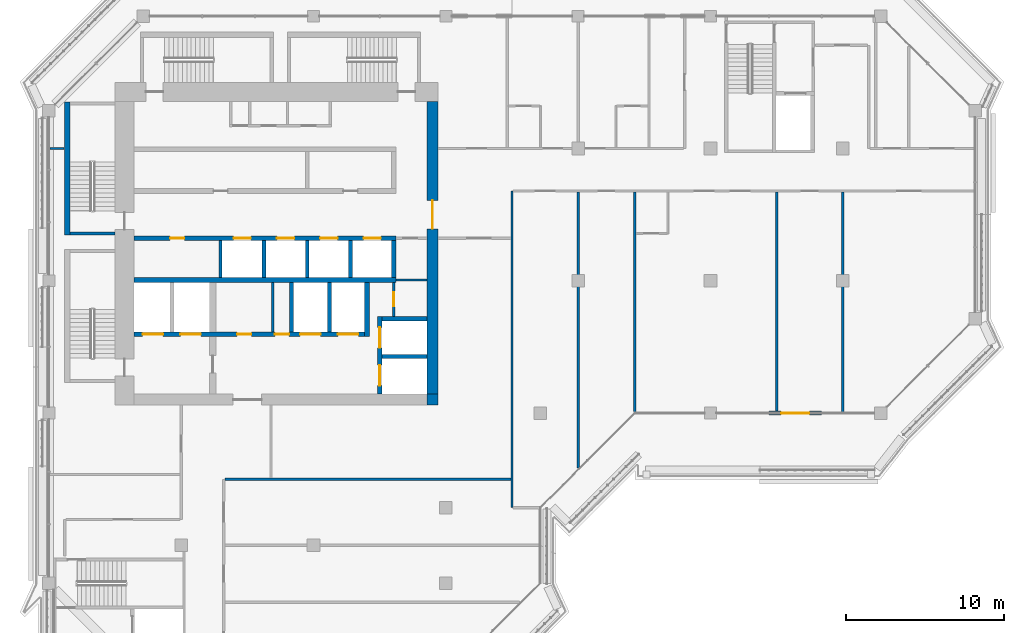
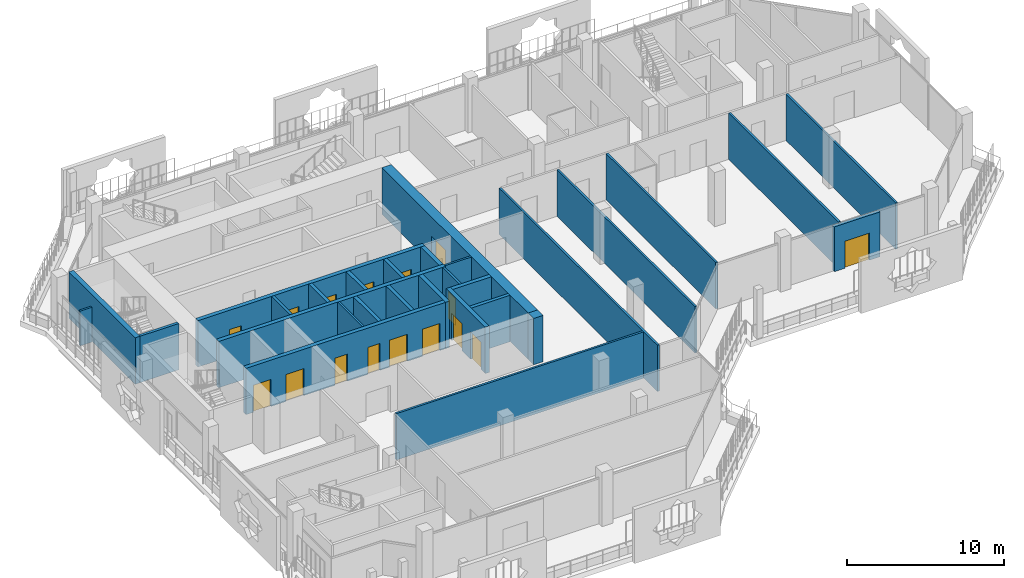
# One storey, part 11 of 21: 29 walls, 16 doors, 16 openings.
"""IFC4 building model written with IfcOpenShell, lengths in metres."""

from ifc_helpers import new_model, si_unit, direction, frame, frame_2d, origin, place, context, subcontext, project, spatial, rectangle, extrude, material, layer, layer_set, type_object, element, fill, save


model = new_model("IFC4")

# Units and contexts
model_context = context("Model", 3, precision=1e-05, world=origin(), true_north=direction((0.0, 1.0)))
body_context = subcontext(model_context, "Body", "Model", "MODEL_VIEW")
ifc_project = project(units=[si_unit("LENGTHUNIT", "METRE"), si_unit("AREAUNIT", "SQUARE_METRE"), si_unit("VOLUMEUNIT", "CUBIC_METRE"), si_unit("PLANEANGLEUNIT", "RADIAN"), si_unit("MASSUNIT", "GRAM", prefix="KILO")], contexts=[model_context])

# Site, building, storey
site_placement = place(None, origin())
site = spatial("IfcSite", under=ifc_project, at=site_placement, CompositionType="ELEMENT")
building_placement = place(site_placement, origin())
building = spatial("IfcBuilding", under=site, at=building_placement, Name="Kawkab Arch Medical Tower", CompositionType="ELEMENT")
storey_placement = place(building_placement, frame((0.0, 0.0, 307.0)))
storey = spatial("IfcBuildingStorey", under=building, at=storey_placement, Name="L71", CompositionType="ELEMENT", Elevation=307.0)

# Wall, opening, door
ifc_material_1 = material(Name="Concrete C50/60", Category="concrete")
ifc_layer_1 = layer(ifc_material_1, 0.699951171875)
ifc_layer_set_1 = layer_set([ifc_layer_1], Name="Concrete C50/60")
wall_type_1 = type_object("IfcWallType", Name="Core ring wall 700 C50/60", PredefinedType="SHEAR", material=ifc_layer_set_1)
wall_1_placement = place(storey_placement, frame((24.35009765625, -24.0, 0.0), z_axis=(0.0, 0.0, 1.0), x_axis=(0.0, 1.0, 0.0)))
wall_1 = element("IfcWall", 1, at=wall_1_placement, inside=storey, type_object=wall_type_1, Name="L71 core wall", PredefinedType="SHEAR", context=body_context, shape_type="SweptSolid", body=[
    extrude(rectangle(XDim=18.60009765625, YDim=0.699951171875, at=frame_2d((9.300048828125, 0.0))), origin(), (0.0, 0.0, 1.0), 3.60009765625),
])
opening_1_placement = place(wall_1_placement, frame((10.5, 0.0, 0.0)))
opening_1 = element("IfcOpeningElement", 2, at=opening_1_placement, cuts=wall_1, Name="Opening PD", PredefinedType="OPENING", context=body_context, shape_type="SweptSolid", body=[
    extrude(rectangle(XDim=1.800048828125, YDim=2.10009765625, at=frame_2d((0.89990234375, 1.050048828125))), frame((0.0, 0.35986328125, 0.0), z_axis=(0.0, -1.0, 0.0), x_axis=(1.0, 0.0, 0.0)), (0.0, 0.0, 1.0), 0.719970703125),
])
ifc_material_2 = material(Name="Hollow metal fire door leaf")
door_type_1 = type_object("IfcDoorType", Name="Core entrance doors 1800", OperationType="DOUBLE_DOOR_SINGLE_SWING", PredefinedType="DOOR", material=ifc_material_2)
door_1_placement = place(opening_1_placement, origin())
door_1 = element("IfcDoor", 3, at=door_1_placement, inside=storey, type_object=door_type_1, Name="L71 East entrance doors", OperationType="DOUBLE_DOOR_SINGLE_SWING", OverallHeight=2.10009765625, OverallWidth=1.800048828125, PredefinedType="DOOR", context=body_context, shape_type="SweptSolid", body=[
    extrude(rectangle(XDim=1.800048828125, YDim=2.10009765625, at=frame_2d((0.89990234375, 1.050048828125))), frame((0.0, 0.02490234375, 0.0), z_axis=(0.0, -1.0, 0.0), x_axis=(1.0, 0.0, 0.0)), (0.0, 0.0, 1.0), 0.050048828125),
])
fill(opening_1, door_1)

# Wall
wall_2_placement = place(storey_placement, frame((24.35009765625, -24.699951171875, 0.0), z_axis=(0.0, 0.0, 1.0), x_axis=(0.0, 1.0, 0.0)))
element("IfcWall", 4, at=wall_2_placement, inside=storey, type_object=wall_type_1, Name="L71 core wall", PredefinedType="SHEAR", context=body_context, shape_type="SweptSolid", body=[
    extrude(rectangle(XDim=0.699951171875, YDim=0.699951171875, at=frame_2d((0.35009765625, 0.0))), origin(), (0.0, 0.0, 1.0), 3.60009765625),
])

# Wall, opening, door
ifc_material_3 = material(Name="Gypsum board on steel studs", Category="steel")
ifc_layer_2 = layer(ifc_material_3, 0.14990234375)
ifc_layer_set_2 = layer_set([ifc_layer_2], Name="Gypsum board on steel studs")
wall_type_2 = type_object("IfcWallType", Name="Core room partition 150", PredefinedType="PARTITIONING", material=ifc_layer_set_2)
wall_3_placement = place(storey_placement, frame((21.89990234375, -19.050048828125, 0.0), z_axis=(0.0, 0.0, 1.0), x_axis=(0.0, 1.0, 0.0)))
wall_3 = element("IfcWall", 5, at=wall_3_placement, inside=storey, type_object=wall_type_2, Name="L71 core room partition", PredefinedType="PARTITIONING", context=body_context, shape_type="SweptSolid", body=[
    extrude(rectangle(XDim=2.150146484375, YDim=0.14990234375, at=frame_2d((1.0751953125, 0.0))), origin(), (0.0, 0.0, 1.0), 3.60009765625),
])
opening_2_placement = place(wall_3_placement, frame((0.625, 0.0, 0.0)))
opening_2 = element("IfcOpeningElement", 6, at=opening_2_placement, cuts=wall_3, Name="Opening RD", PredefinedType="OPENING", context=body_context, shape_type="SweptSolid", body=[
    extrude(rectangle(XDim=0.89990234375, YDim=2.10009765625, at=frame_2d((0.449951171875, 1.050048828125))), frame((0.0, 0.0849609375, 0.0), z_axis=(0.0, -1.0, 0.0), x_axis=(1.0, 0.0, 0.0)), (0.0, 0.0, 1.0), 0.169921875),
])
ifc_material_4 = material(Name="Hollow metal fire door leaf")
door_type_2 = type_object("IfcDoorType", Name="Core room door 900", OperationType="SINGLE_SWING_LEFT", PredefinedType="DOOR", material=ifc_material_4)
door_2_placement = place(opening_2_placement, origin())
door_2 = element("IfcDoor", 7, at=door_2_placement, inside=storey, type_object=door_type_2, Name="L71 Accessible WC door", OperationType="SINGLE_SWING_LEFT", OverallHeight=2.10009765625, OverallWidth=0.89990234375, PredefinedType="DOOR", context=body_context, shape_type="SweptSolid", body=[
    extrude(rectangle(XDim=0.89990234375, YDim=2.10009765625, at=frame_2d((0.449951171875, 1.050048828125))), frame((0.0, 0.02490234375, 0.0), z_axis=(0.0, -1.0, 0.0), x_axis=(1.0, 0.0, 0.0)), (0.0, 0.0, 1.0), 0.050048828125),
])
fill(opening_2, door_2)

# Walls
wall_4_placement = place(storey_placement, frame((22.050048828125, -16.75, 0.0), z_axis=(0.0, 0.0, 1.0), x_axis=(1.0, 0.0, 0.0)))
element("IfcWall", 8, at=wall_4_placement, inside=storey, type_object=wall_type_2, Name="L71 core room partition", PredefinedType="PARTITIONING", context=body_context, shape_type="SweptSolid", body=[
    extrude(rectangle(XDim=1.949951171875, YDim=0.14990234375, at=frame_2d((0.97509765625, 0.0))), origin(), (0.0, 0.0, 1.0), 3.60009765625),
])
wall_5_placement = place(storey_placement, frame((14.199951171875, -20.050048828125, 0.0), z_axis=(0.0, 0.0, 1.0), x_axis=(0.0, 1.0, 0.0)))
element("IfcWall", 9, at=wall_5_placement, inside=storey, type_object=wall_type_2, Name="L71 core room partition", PredefinedType="PARTITIONING", context=body_context, shape_type="SweptSolid", body=[
    extrude(rectangle(XDim=3.150146484375, YDim=0.14990234375, at=frame_2d((1.5751953125, 0.0))), origin(), (0.0, 0.0, 1.0), 3.60009765625),
])
ifc_material_5 = material(Name="Concrete C60/75", Category="concrete")
ifc_layer_3 = layer(ifc_material_5, 0.25)
ifc_layer_set_3 = layer_set([ifc_layer_3], Name="Concrete C60/75")
wall_type_3 = type_object("IfcWallType", Name="Core shear wall 250 C60/75", PredefinedType="SHEAR", material=ifc_layer_set_3)
wall_6_placement = place(storey_placement, frame((21.14990234375, -21.60009765625, 0.0), z_axis=(0.0, 0.0, 1.0), x_axis=(1.0, 0.0, 0.0)))
element("IfcWall", 10, at=wall_6_placement, inside=storey, type_object=wall_type_3, Name="L71 core shear wall", PredefinedType="SHEAR", context=body_context, shape_type="SweptSolid", body=[
    extrude(rectangle(XDim=2.85009765625, YDim=0.25, at=frame_2d((1.425048828125, 0.0))), origin(), (0.0, 0.0, 1.0), 3.60009765625),
])
for number, where, z_axis, x_axis, name in (
    (11, (15.39990234375, -20.050048828125, 0.0), (0.0, 0.0, 1.0), (0.0, 1.0, 0.0), "L71 core shear wall"),
    (12, (17.800048828125, -20.050048828125, 0.0), (0.0, 0.0, 1.0), (0.0, 1.0, 0.0), "L71 core shear wall"),
):
    element("IfcWall", number, at=place(storey_placement, frame(where, z_axis=z_axis, x_axis=x_axis)), inside=storey, type_object=wall_type_3, Name=name, PredefinedType="SHEAR", context=body_context, shape_type="SweptSolid", body=[
        extrude(rectangle(XDim=3.150146484375, YDim=0.25, at=frame_2d((1.5751953125, 0.0))), origin(), (0.0, 0.0, 1.0), 3.60009765625),
    ])
for number, where, z_axis, x_axis, name in (
    (13, (13.64990234375, -16.60009765625, 0.0), (0.0, 0.0, 1.0), (0.0, 1.0, 0.0), "L71 core shear wall"),
    (14, (16.39990234375, -16.60009765625, 0.0), (0.0, 0.0, 1.0), (0.0, 1.0, 0.0), "L71 core shear wall"),
    (15, (19.14990234375, -16.60009765625, 0.0), (0.0, 0.0, 1.0), (0.0, 1.0, 0.0), "L71 core shear wall"),
):
    element("IfcWall", number, at=place(storey_placement, frame(where, z_axis=z_axis, x_axis=x_axis)), inside=storey, type_object=wall_type_3, Name=name, PredefinedType="SHEAR", context=body_context, shape_type="SweptSolid", body=[
        extrude(rectangle(XDim=2.35009765625, YDim=0.25, at=frame_2d((1.175048828125, 0.0))), origin(), (0.0, 0.0, 1.0), 3.60009765625),
    ])

# Wall, openings, doors
ifc_material_6 = material(Name="Concrete C60/75", Category="concrete")
ifc_layer_4 = layer(ifc_material_6, 0.300048828125)
ifc_layer_set_4 = layer_set([ifc_layer_4], Name="Concrete C60/75")
wall_type_4 = type_object("IfcWallType", Name="Core shear wall 300 C60/75", PredefinedType="SHEAR", material=ifc_layer_set_4)
wall_7_placement = place(storey_placement, frame((5.39990234375, -14.10009765625, 0.0), z_axis=(0.0, 0.0, 1.0), x_axis=(1.0, 0.0, 0.0)))
wall_7 = element("IfcWall", 16, at=wall_7_placement, inside=storey, type_object=wall_type_4, Name="L71 core shear wall", PredefinedType="SHEAR", context=body_context, shape_type="SweptSolid", body=[
    extrude(rectangle(XDim=16.650146484375, YDim=0.300048828125, at=frame_2d((8.3251953125, 0.0))), origin(), (0.0, 0.0, 1.0), 3.60009765625),
])
opening_3_placement = place(wall_7_placement, frame((6.324951171875, 0.0, 0.0)))
opening_3 = element("IfcOpeningElement", 17, at=opening_3_placement, cuts=wall_7, Name="Opening LD1", PredefinedType="OPENING", context=body_context, shape_type="SweptSolid", body=[
    extrude(rectangle(XDim=1.10009765625, YDim=2.10009765625, at=frame_2d((0.550048828125, 1.050048828125))), frame((0.0, 0.159912109375, 0.0), z_axis=(0.0, -1.0, 0.0), x_axis=(1.0, 0.0, 0.0)), (0.0, 0.0, 1.0), 0.320068359375),
])
opening_4_placement = place(wall_7_placement, frame((9.074951171875, 0.0, 0.0)))
opening_4 = element("IfcOpeningElement", 18, at=opening_4_placement, cuts=wall_7, Name="Opening LD1", PredefinedType="OPENING", context=body_context, shape_type="SweptSolid", body=[
    extrude(rectangle(XDim=1.10009765625, YDim=2.10009765625, at=frame_2d((0.550048828125, 1.050048828125))), frame((0.0, 0.159912109375, 0.0), z_axis=(0.0, -1.0, 0.0), x_axis=(1.0, 0.0, 0.0)), (0.0, 0.0, 1.0), 0.320068359375),
])
opening_5_placement = place(wall_7_placement, frame((11.824951171875, 0.0, 0.0)))
opening_5 = element("IfcOpeningElement", 19, at=opening_5_placement, cuts=wall_7, Name="Opening LD1", PredefinedType="OPENING", context=body_context, shape_type="SweptSolid", body=[
    extrude(rectangle(XDim=1.10009765625, YDim=2.10009765625, at=frame_2d((0.550048828125, 1.050048828125))), frame((0.0, 0.159912109375, 0.0), z_axis=(0.0, -1.0, 0.0), x_axis=(1.0, 0.0, 0.0)), (0.0, 0.0, 1.0), 0.320068359375),
])
opening_6_placement = place(wall_7_placement, frame((14.574951171875, 0.0, 0.0)))
opening_6 = element("IfcOpeningElement", 20, at=opening_6_placement, cuts=wall_7, Name="Opening LD1", PredefinedType="OPENING", context=body_context, shape_type="SweptSolid", body=[
    extrude(rectangle(XDim=1.10009765625, YDim=2.10009765625, at=frame_2d((0.550048828125, 1.050048828125))), frame((0.0, 0.159912109375, 0.0), z_axis=(0.0, -1.0, 0.0), x_axis=(1.0, 0.0, 0.0)), (0.0, 0.0, 1.0), 0.320068359375),
])
opening_7_placement = place(wall_7_placement, frame((2.300048828125, 0.0, 0.0)))
opening_7 = element("IfcOpeningElement", 21, at=opening_7_placement, cuts=wall_7, Name="Opening RD", PredefinedType="OPENING", context=body_context, shape_type="SweptSolid", body=[
    extrude(rectangle(XDim=0.89990234375, YDim=2.10009765625, at=frame_2d((0.449951171875, 1.050048828125))), frame((0.0, 0.159912109375, 0.0), z_axis=(0.0, -1.0, 0.0), x_axis=(1.0, 0.0, 0.0)), (0.0, 0.0, 1.0), 0.320068359375),
])
door_3_placement = place(opening_7_placement, origin())
door_3 = element("IfcDoor", 22, at=door_3_placement, inside=storey, type_object=door_type_2, Name="L71 UPS room door", OperationType="SINGLE_SWING_LEFT", OverallHeight=2.10009765625, OverallWidth=0.89990234375, PredefinedType="DOOR", context=body_context, shape_type="SweptSolid", body=[
    extrude(rectangle(XDim=0.89990234375, YDim=2.10009765625, at=frame_2d((0.449951171875, 1.050048828125))), frame((0.0, 0.02490234375, 0.0), z_axis=(0.0, -1.0, 0.0), x_axis=(1.0, 0.0, 0.0)), (0.0, 0.0, 1.0), 0.050048828125),
])
fill(opening_7, door_3)
ifc_material_7 = material(Name="Stainless steel lift door leaf", Category="steel")
door_type_3 = type_object("IfcDoorType", Name="Lift landing door 1100", OperationType="DOUBLE_DOOR_SLIDING", PredefinedType="DOOR", material=ifc_material_7)
door_4_placement = place(opening_3_placement, origin())
door_4 = element("IfcDoor", 23, at=door_4_placement, inside=storey, type_object=door_type_3, Name="L71 Lift landing door HP1", OperationType="DOUBLE_DOOR_SLIDING", OverallHeight=2.10009765625, OverallWidth=1.10009765625, PredefinedType="DOOR", context=body_context, shape_type="SweptSolid", body=[
    extrude(rectangle(XDim=1.10009765625, YDim=2.10009765625, at=frame_2d((0.550048828125, 1.050048828125))), frame((0.0, 0.02490234375, 0.0), z_axis=(0.0, -1.0, 0.0), x_axis=(1.0, 0.0, 0.0)), (0.0, 0.0, 1.0), 0.050048828125),
])
fill(opening_3, door_4)
door_5_placement = place(opening_4_placement, origin())
door_5 = element("IfcDoor", 24, at=door_5_placement, inside=storey, type_object=door_type_3, Name="L71 Lift landing door HP2", OperationType="DOUBLE_DOOR_SLIDING", OverallHeight=2.10009765625, OverallWidth=1.10009765625, PredefinedType="DOOR", context=body_context, shape_type="SweptSolid", body=[
    extrude(rectangle(XDim=1.10009765625, YDim=2.10009765625, at=frame_2d((0.550048828125, 1.050048828125))), frame((0.0, 0.02490234375, 0.0), z_axis=(0.0, -1.0, 0.0), x_axis=(1.0, 0.0, 0.0)), (0.0, 0.0, 1.0), 0.050048828125),
])
fill(opening_4, door_5)
door_6_placement = place(opening_5_placement, origin())
door_6 = element("IfcDoor", 25, at=door_6_placement, inside=storey, type_object=door_type_3, Name="L71 Lift landing door HP3", OperationType="DOUBLE_DOOR_SLIDING", OverallHeight=2.10009765625, OverallWidth=1.10009765625, PredefinedType="DOOR", context=body_context, shape_type="SweptSolid", body=[
    extrude(rectangle(XDim=1.10009765625, YDim=2.10009765625, at=frame_2d((0.550048828125, 1.050048828125))), frame((0.0, 0.02490234375, 0.0), z_axis=(0.0, -1.0, 0.0), x_axis=(1.0, 0.0, 0.0)), (0.0, 0.0, 1.0), 0.050048828125),
])
fill(opening_5, door_6)
door_7_placement = place(opening_6_placement, origin())
door_7 = element("IfcDoor", 26, at=door_7_placement, inside=storey, type_object=door_type_3, Name="L71 Lift landing door HP4", OperationType="DOUBLE_DOOR_SLIDING", OverallHeight=2.10009765625, OverallWidth=1.10009765625, PredefinedType="DOOR", context=body_context, shape_type="SweptSolid", body=[
    extrude(rectangle(XDim=1.10009765625, YDim=2.10009765625, at=frame_2d((0.550048828125, 1.050048828125))), frame((0.0, 0.02490234375, 0.0), z_axis=(0.0, -1.0, 0.0), x_axis=(1.0, 0.0, 0.0)), (0.0, 0.0, 1.0), 0.050048828125),
])
fill(opening_6, door_7)

# Wall
wall_8_placement = place(storey_placement, frame((5.39990234375, -16.75, 0.0), z_axis=(0.0, 0.0, 1.0), x_axis=(1.0, 0.0, 0.0)))
element("IfcWall", 27, at=wall_8_placement, inside=storey, type_object=wall_type_4, Name="L71 core shear wall", PredefinedType="SHEAR", context=body_context, shape_type="SweptSolid", body=[
    extrude(rectangle(XDim=16.650146484375, YDim=0.300048828125, at=frame_2d((8.3251953125, 0.0))), origin(), (0.0, 0.0, 1.0), 3.60009765625),
])

# Wall, openings, doors
wall_9_placement = place(storey_placement, frame((5.39990234375, -20.199951171875, 0.0), z_axis=(0.0, 0.0, 1.0), x_axis=(1.0, 0.0, 0.0)))
wall_9 = element("IfcWall", 28, at=wall_9_placement, inside=storey, type_object=wall_type_4, Name="L71 core shear wall", PredefinedType="SHEAR", context=body_context, shape_type="SweptSolid", body=[
    extrude(rectangle(XDim=14.650146484375, YDim=0.300048828125, at=frame_2d((7.3251953125, 0.0))), origin(), (0.0, 0.0, 1.0), 3.60009765625),
])
opening_8_placement = place(wall_9_placement, frame((10.550048828125, 0.0, 0.0)))
opening_8 = element("IfcOpeningElement", 29, at=opening_8_placement, cuts=wall_9, Name="Opening LD2", PredefinedType="OPENING", context=body_context, shape_type="SweptSolid", body=[
    extrude(rectangle(XDim=1.300048828125, YDim=2.10009765625, at=frame_2d((0.64990234375, 1.050048828125))), frame((0.0, 0.159912109375, 0.0), z_axis=(0.0, -1.0, 0.0), x_axis=(1.0, 0.0, 0.0)), (0.0, 0.0, 1.0), 0.320068359375),
])
opening_9_placement = place(wall_9_placement, frame((12.949951171875, 0.0, 0.0)))
opening_9 = element("IfcOpeningElement", 30, at=opening_9_placement, cuts=wall_9, Name="Opening LD2", PredefinedType="OPENING", context=body_context, shape_type="SweptSolid", body=[
    extrude(rectangle(XDim=1.300048828125, YDim=2.10009765625, at=frame_2d((0.64990234375, 1.050048828125))), frame((0.0, 0.159912109375, 0.0), z_axis=(0.0, -1.0, 0.0), x_axis=(1.0, 0.0, 0.0)), (0.0, 0.0, 1.0), 0.320068359375),
])
opening_10_placement = place(wall_9_placement, frame((0.550048828125, 0.0, 0.0)))
opening_10 = element("IfcOpeningElement", 31, at=opening_10_placement, cuts=wall_9, Name="Opening LD2", PredefinedType="OPENING", context=body_context, shape_type="SweptSolid", body=[
    extrude(rectangle(XDim=1.300048828125, YDim=2.10009765625, at=frame_2d((0.64990234375, 1.050048828125))), frame((0.0, 0.159912109375, 0.0), z_axis=(0.0, -1.0, 0.0), x_axis=(1.0, 0.0, 0.0)), (0.0, 0.0, 1.0), 0.320068359375),
])
opening_11_placement = place(wall_9_placement, frame((2.949951171875, 0.0, 0.0)))
opening_11 = element("IfcOpeningElement", 32, at=opening_11_placement, cuts=wall_9, Name="Opening LD2", PredefinedType="OPENING", context=body_context, shape_type="SweptSolid", body=[
    extrude(rectangle(XDim=1.300048828125, YDim=2.10009765625, at=frame_2d((0.64990234375, 1.050048828125))), frame((0.0, 0.159912109375, 0.0), z_axis=(0.0, -1.0, 0.0), x_axis=(1.0, 0.0, 0.0)), (0.0, 0.0, 1.0), 0.320068359375),
])
opening_12_placement = place(wall_9_placement, frame((6.550048828125, 0.0, 0.0)))
opening_12 = element("IfcOpeningElement", 33, at=opening_12_placement, cuts=wall_9, Name="Opening RD", PredefinedType="OPENING", context=body_context, shape_type="SweptSolid", body=[
    extrude(rectangle(XDim=0.89990234375, YDim=2.10009765625, at=frame_2d((0.449951171875, 1.050048828125))), frame((0.0, 0.159912109375, 0.0), z_axis=(0.0, -1.0, 0.0), x_axis=(1.0, 0.0, 0.0)), (0.0, 0.0, 1.0), 0.320068359375),
])
opening_13_placement = place(wall_9_placement, frame((8.949951171875, 0.0, 0.0)))
opening_13 = element("IfcOpeningElement", 34, at=opening_13_placement, cuts=wall_9, Name="Opening RD", PredefinedType="OPENING", context=body_context, shape_type="SweptSolid", body=[
    extrude(rectangle(XDim=0.89990234375, YDim=2.10009765625, at=frame_2d((0.449951171875, 1.050048828125))), frame((0.0, 0.159912109375, 0.0), z_axis=(0.0, -1.0, 0.0), x_axis=(1.0, 0.0, 0.0)), (0.0, 0.0, 1.0), 0.320068359375),
])
door_8_placement = place(opening_12_placement, origin())
door_8 = element("IfcDoor", 35, at=door_8_placement, inside=storey, type_object=door_type_2, Name="L71 Ward pantry door", OperationType="SINGLE_SWING_LEFT", OverallHeight=2.10009765625, OverallWidth=0.89990234375, PredefinedType="DOOR", context=body_context, shape_type="SweptSolid", body=[
    extrude(rectangle(XDim=0.89990234375, YDim=2.10009765625, at=frame_2d((0.449951171875, 1.050048828125))), frame((0.0, 0.02490234375, 0.0), z_axis=(0.0, -1.0, 0.0), x_axis=(1.0, 0.0, 0.0)), (0.0, 0.0, 1.0), 0.050048828125),
])
fill(opening_12, door_8)
door_9_placement = place(opening_13_placement, origin())
door_9 = element("IfcDoor", 36, at=door_9_placement, inside=storey, type_object=door_type_2, Name="L71 Linen store door", OperationType="SINGLE_SWING_LEFT", OverallHeight=2.10009765625, OverallWidth=0.89990234375, PredefinedType="DOOR", context=body_context, shape_type="SweptSolid", body=[
    extrude(rectangle(XDim=0.89990234375, YDim=2.10009765625, at=frame_2d((0.449951171875, 1.050048828125))), frame((0.0, 0.02490234375, 0.0), z_axis=(0.0, -1.0, 0.0), x_axis=(1.0, 0.0, 0.0)), (0.0, 0.0, 1.0), 0.050048828125),
])
fill(opening_13, door_9)
ifc_material_8 = material(Name="Stainless steel lift door leaf", Category="steel")
door_type_4 = type_object("IfcDoorType", Name="Lift landing door 1300", OperationType="DOUBLE_DOOR_SLIDING", PredefinedType="DOOR", material=ifc_material_8)
door_10_placement = place(opening_8_placement, origin())
door_10 = element("IfcDoor", 37, at=door_10_placement, inside=storey, type_object=door_type_4, Name="L71 Lift landing door BD3", OperationType="DOUBLE_DOOR_SLIDING", OverallHeight=2.10009765625, OverallWidth=1.300048828125, PredefinedType="DOOR", context=body_context, shape_type="SweptSolid", body=[
    extrude(rectangle(XDim=1.300048828125, YDim=2.10009765625, at=frame_2d((0.64990234375, 1.050048828125))), frame((0.0, 0.02490234375, 0.0), z_axis=(0.0, -1.0, 0.0), x_axis=(1.0, 0.0, 0.0)), (0.0, 0.0, 1.0), 0.050048828125),
])
fill(opening_8, door_10)
door_11_placement = place(opening_9_placement, origin())
door_11 = element("IfcDoor", 38, at=door_11_placement, inside=storey, type_object=door_type_4, Name="L71 Lift landing door BD4", OperationType="DOUBLE_DOOR_SLIDING", OverallHeight=2.10009765625, OverallWidth=1.300048828125, PredefinedType="DOOR", context=body_context, shape_type="SweptSolid", body=[
    extrude(rectangle(XDim=1.300048828125, YDim=2.10009765625, at=frame_2d((0.64990234375, 1.050048828125))), frame((0.0, 0.02490234375, 0.0), z_axis=(0.0, -1.0, 0.0), x_axis=(1.0, 0.0, 0.0)), (0.0, 0.0, 1.0), 0.050048828125),
])
fill(opening_9, door_11)
door_12_placement = place(opening_10_placement, origin())
door_12 = element("IfcDoor", 39, at=door_12_placement, inside=storey, type_object=door_type_4, Name="L71 Lift landing door FL1", OperationType="DOUBLE_DOOR_SLIDING", OverallHeight=2.10009765625, OverallWidth=1.300048828125, PredefinedType="DOOR", context=body_context, shape_type="SweptSolid", body=[
    extrude(rectangle(XDim=1.300048828125, YDim=2.10009765625, at=frame_2d((0.64990234375, 1.050048828125))), frame((0.0, 0.02490234375, 0.0), z_axis=(0.0, -1.0, 0.0), x_axis=(1.0, 0.0, 0.0)), (0.0, 0.0, 1.0), 0.050048828125),
])
fill(opening_10, door_12)
door_13_placement = place(opening_11_placement, origin())
door_13 = element("IfcDoor", 40, at=door_13_placement, inside=storey, type_object=door_type_4, Name="L71 Lift landing door FL2", OperationType="DOUBLE_DOOR_SLIDING", OverallHeight=2.10009765625, OverallWidth=1.300048828125, PredefinedType="DOOR", context=body_context, shape_type="SweptSolid", body=[
    extrude(rectangle(XDim=1.300048828125, YDim=2.10009765625, at=frame_2d((0.64990234375, 1.050048828125))), frame((0.0, 0.02490234375, 0.0), z_axis=(0.0, -1.0, 0.0), x_axis=(1.0, 0.0, 0.0)), (0.0, 0.0, 1.0), 0.050048828125),
])
fill(opening_11, door_13)

# Walls
wall_10_placement = place(storey_placement, frame((20.199951171875, -20.35009765625, 0.0), z_axis=(0.0, 0.0, 1.0), x_axis=(0.0, 1.0, 0.0)))
element("IfcWall", 41, at=wall_10_placement, inside=storey, type_object=wall_type_4, Name="L71 core shear wall", PredefinedType="SHEAR", context=body_context, shape_type="SweptSolid", body=[
    extrude(rectangle(XDim=3.4501953125, YDim=0.300048828125, at=frame_2d((1.72509765625, 0.0))), origin(), (0.0, 0.0, 1.0), 3.60009765625),
])
wall_11_placement = place(storey_placement, frame((21.89990234375, -16.60009765625, 0.0), z_axis=(0.0, 0.0, 1.0), x_axis=(0.0, 1.0, 0.0)))
element("IfcWall", 42, at=wall_11_placement, inside=storey, type_object=wall_type_4, Name="L71 core shear wall", PredefinedType="SHEAR", context=body_context, shape_type="SweptSolid", body=[
    extrude(rectangle(XDim=2.35009765625, YDim=0.300048828125, at=frame_2d((1.175048828125, 0.0))), origin(), (0.0, 0.0, 1.0), 3.60009765625),
])
wall_12_placement = place(storey_placement, frame((21.14990234375, -19.199951171875, 0.0), z_axis=(0.0, 0.0, 1.0), x_axis=(1.0, 0.0, 0.0)))
element("IfcWall", 43, at=wall_12_placement, inside=storey, type_object=wall_type_4, Name="L71 core shear wall", PredefinedType="SHEAR", context=body_context, shape_type="SweptSolid", body=[
    extrude(rectangle(XDim=2.85009765625, YDim=0.300048828125, at=frame_2d((1.425048828125, 0.0))), origin(), (0.0, 0.0, 1.0), 3.60009765625),
])

# Wall, openings, doors
wall_13_placement = place(storey_placement, frame((21.0, -24.0, 0.0), z_axis=(0.0, 0.0, 1.0), x_axis=(0.0, 1.0, 0.0)))
wall_13 = element("IfcWall", 44, at=wall_13_placement, inside=storey, type_object=wall_type_4, Name="L71 core shear wall", PredefinedType="SHEAR", context=body_context, shape_type="SweptSolid", body=[
    extrude(rectangle(XDim=4.949951171875, YDim=0.300048828125, at=frame_2d((2.47509765625, 0.0))), origin(), (0.0, 0.0, 1.0), 3.60009765625),
])
opening_14_placement = place(wall_13_placement, frame((2.949951171875, 0.0, 0.0)))
opening_14 = element("IfcOpeningElement", 45, at=opening_14_placement, cuts=wall_13, Name="Opening LD2", PredefinedType="OPENING", context=body_context, shape_type="SweptSolid", body=[
    extrude(rectangle(XDim=1.300048828125, YDim=2.10009765625, at=frame_2d((0.64990234375, 1.050048828125))), frame((0.0, 0.159912109375, 0.0), z_axis=(0.0, -1.0, 0.0), x_axis=(1.0, 0.0, 0.0)), (0.0, 0.0, 1.0), 0.320068359375),
])
opening_15_placement = place(wall_13_placement, frame((0.550048828125, 0.0, 0.0)))
opening_15 = element("IfcOpeningElement", 46, at=opening_15_placement, cuts=wall_13, Name="Opening LD2", PredefinedType="OPENING", context=body_context, shape_type="SweptSolid", body=[
    extrude(rectangle(XDim=1.300048828125, YDim=2.10009765625, at=frame_2d((0.64990234375, 1.050048828125))), frame((0.0, 0.159912109375, 0.0), z_axis=(0.0, -1.0, 0.0), x_axis=(1.0, 0.0, 0.0)), (0.0, 0.0, 1.0), 0.320068359375),
])
door_14_placement = place(opening_14_placement, origin())
door_14 = element("IfcDoor", 47, at=door_14_placement, inside=storey, type_object=door_type_4, Name="L71 Lift landing door BD1", OperationType="DOUBLE_DOOR_SLIDING", OverallHeight=2.10009765625, OverallWidth=1.300048828125, PredefinedType="DOOR", context=body_context, shape_type="SweptSolid", body=[
    extrude(rectangle(XDim=1.300048828125, YDim=2.10009765625, at=frame_2d((0.64990234375, 1.050048828125))), frame((0.0, 0.02490234375, 0.0), z_axis=(0.0, -1.0, 0.0), x_axis=(1.0, 0.0, 0.0)), (0.0, 0.0, 1.0), 0.050048828125),
])
fill(opening_14, door_14)
door_15_placement = place(opening_15_placement, origin())
door_15 = element("IfcDoor", 48, at=door_15_placement, inside=storey, type_object=door_type_4, Name="L71 Lift landing door BD2", OperationType="DOUBLE_DOOR_SLIDING", OverallHeight=2.10009765625, OverallWidth=1.300048828125, PredefinedType="DOOR", context=body_context, shape_type="SweptSolid", body=[
    extrude(rectangle(XDim=1.300048828125, YDim=2.10009765625, at=frame_2d((0.64990234375, 1.050048828125))), frame((0.0, 0.02490234375, 0.0), z_axis=(0.0, -1.0, 0.0), x_axis=(1.0, 0.0, 0.0)), (0.0, 0.0, 1.0), 0.050048828125),
])
fill(opening_15, door_15)

# Wall, opening, door
ifc_material_9 = material(Name="Bronze clad insulated wall panel")
ifc_layer_5 = layer(ifc_material_9, 0.25)
ifc_layer_set_5 = layer_set([ifc_layer_5], Name="Bronze clad insulated wall panel")
wall_type_5 = type_object("IfcWallType", Name="External wall bay 250", PredefinedType="SOLIDWALL", material=ifc_layer_set_5)
wall_14_placement = place(storey_placement, frame((45.716552734375, -25.199951171875, 0.0), z_axis=(0.0, 0.0, 1.0), x_axis=(1.0, 0.0, 0.0)))
wall_14 = element("IfcWall", 49, at=wall_14_placement, inside=storey, type_object=wall_type_5, Name="External wall bay L71.R11.2.2", PredefinedType="SOLIDWALL", context=body_context, shape_type="SweptSolid", body=[
    extrude(rectangle(XDim=3.341796875, YDim=0.25, at=frame_2d((1.6708984375, 0.0))), origin(), (0.0, 0.0, 1.0), 3.47998046875),
])
opening_16_placement = place(wall_14_placement, frame((0.770751953125, 0.0, 0.0)))
opening_16 = element("IfcOpeningElement", 50, at=opening_16_placement, cuts=wall_14, Name="Opening W71-701", PredefinedType="OPENING", context=body_context, shape_type="SweptSolid", body=[
    extrude(rectangle(XDim=1.800048828125, YDim=2.10009765625, at=frame_2d((0.89990234375, 1.050048828125))), frame((0.0, 0.135009765625, 0.0), z_axis=(0.0, -1.0, 0.0), x_axis=(1.0, 0.0, 0.0)), (0.0, 0.0, 1.0), 0.27001953125),
])
ifc_material_10 = material(Name="Bronze anodised aluminium door with tinted glass", Category="aluminium")
door_type_5 = type_object("IfcDoorType", Name="Double external door 1800 x 2100", OperationType="DOUBLE_DOOR_SINGLE_SWING", PredefinedType="DOOR", material=ifc_material_10)
door_16_placement = place(opening_16_placement, origin())
door_16 = element("IfcDoor", 51, at=door_16_placement, inside=storey, type_object=door_type_5, Name="External door L71.R11.2.2", OperationType="DOUBLE_DOOR_SINGLE_SWING", OverallHeight=2.10009765625, OverallWidth=1.800048828125, PredefinedType="DOOR", context=body_context, shape_type="SweptSolid", body=[
    extrude(rectangle(XDim=1.800048828125, YDim=2.10009765625, at=frame_2d((0.89990234375, 1.050048828125))), frame((0.0, 0.02490234375, 0.0), z_axis=(0.0, -1.0, 0.0), x_axis=(1.0, 0.0, 0.0)), (0.0, 0.0, 1.0), 0.050048828125),
])
fill(opening_16, door_16)

# Walls
ifc_material_11 = material(Name="Dense concrete blockwork", Category="masonry")
ifc_layer_6 = layer(ifc_material_11, 0.199951171875)
ifc_layer_set_6 = layer_set([ifc_layer_6], Name="Dense concrete blockwork")
wall_type_6 = type_object("IfcWallType", Name="Lift shaft partition 200", PredefinedType="PARTITIONING", material=ifc_layer_set_6)
wall_15_placement = place(storey_placement, frame((10.89990234375, -16.60009765625, 0.0), z_axis=(0.0, 0.0, 1.0), x_axis=(0.0, 1.0, 0.0)))
element("IfcWall", 52, at=wall_15_placement, inside=storey, type_object=wall_type_6, Name="L71 lift shaft partition", PredefinedType="PARTITIONING", context=body_context, shape_type="SweptSolid", body=[
    extrude(rectangle(XDim=2.35009765625, YDim=0.199951171875, at=frame_2d((1.175048828125, 0.0))), origin(), (0.0, 0.0, 1.0), 3.60009765625),
])
ifc_material_12 = material(Name="Gypsum board partition on steel studs, mineral wool", Category="steel")
ifc_layer_7 = layer(ifc_material_12, 0.14990234375)
ifc_layer_set_7 = layer_set([ifc_layer_7], Name="Gypsum board partition on steel studs, mineral wool")
wall_type_7 = type_object("IfcWallType", Name="Partition 150", PredefinedType="PARTITIONING", material=ifc_layer_set_7)
wall_16_placement = place(storey_placement, frame((11.175048828125, -29.39990234375, 0.0), z_axis=(0.0, 0.0, 1.0), x_axis=(1.0, 0.0, 0.0)))
element("IfcWall", 53, at=wall_16_placement, inside=storey, type_object=wall_type_7, Name="Partition 150 w011", PredefinedType="PARTITIONING", context=body_context, shape_type="SweptSolid", body=[
    extrude(rectangle(XDim=18.14990234375, YDim=0.14990234375, at=frame_2d((9.074951171875, 0.0))), origin(), (0.0, 0.0, 1.0), 3.60009765625),
])
wall_17_placement = place(storey_placement, frame((0.080078125, -8.39990234375, 0.0), z_axis=(0.0, 0.0, 1.0), x_axis=(1.0, 0.0, 0.0)))
element("IfcWall", 54, at=wall_17_placement, inside=storey, type_object=wall_type_7, Name="Partition 150 w015", PredefinedType="PARTITIONING", context=body_context, shape_type="SweptSolid", body=[
    extrude(rectangle(XDim=0.889892578125, YDim=0.14990234375, at=frame_2d((0.44482421875, 0.0))), origin(), (0.0, 0.0, 1.0), 2.699951171875),
])
wall_18_placement = place(storey_placement, frame((29.39990234375, -31.197998046875, 0.0), z_axis=(0.0, 0.0, 1.0), x_axis=(0.0, 1.0, 0.0)))
element("IfcWall", 55, at=wall_18_placement, inside=storey, type_object=wall_type_7, Name="Partition 150 w024", PredefinedType="PARTITIONING", context=body_context, shape_type="SweptSolid", body=[
    extrude(rectangle(XDim=20.097900390625, YDim=0.14990234375, at=frame_2d((10.048828125, 0.0))), origin(), (0.0, 0.0, 1.0), 3.60009765625),
])
wall_19_placement = place(storey_placement, frame((33.60009765625, -28.68701171875, 0.0), z_axis=(0.0, 0.0, 1.0), x_axis=(0.0, 1.0, 0.0)))
element("IfcWall", 56, at=wall_19_placement, inside=storey, type_object=wall_type_7, Name="Partition 150 w025", PredefinedType="PARTITIONING", context=body_context, shape_type="SweptSolid", body=[
    extrude(rectangle(XDim=17.511962890625, YDim=0.14990234375, at=frame_2d((8.755859375, 0.0))), origin(), (0.0, 0.0, 1.0), 3.60009765625),
])
for number, where, z_axis, x_axis, name in (
    (57, (37.199951171875, -25.1201171875, 0.0), (0.0, 0.0, 1.0), (0.0, 1.0, 0.0), "Partition 150 w027"),
    (58, (46.199951171875, -25.1201171875, 0.0), (0.0, 0.0, 1.0), (0.0, 1.0, 0.0), "Partition 150 w031"),
    (59, (50.39990234375, -25.1201171875, 0.0), (0.0, 0.0, 1.0), (0.0, 1.0, 0.0), "Partition 150 w032"),
):
    element("IfcWall", number, at=place(storey_placement, frame(where, z_axis=z_axis, x_axis=x_axis)), inside=storey, type_object=wall_type_7, Name=name, PredefinedType="PARTITIONING", context=body_context, shape_type="SweptSolid", body=[
        extrude(rectangle(XDim=13.945068359375, YDim=0.14990234375, at=frame_2d((6.97265625, 0.0))), origin(), (0.0, 0.0, 1.0), 3.60009765625),
    ])
ifc_material_13 = material(Name="Concrete C50/60", Category="concrete")
ifc_layer_8 = layer(ifc_material_13, 0.199951171875)
ifc_layer_set_8 = layer_set([ifc_layer_8], Name="Concrete C50/60")
wall_type_8 = type_object("IfcWallType", Name="Stair enclosure wall 200 C50/60", PredefinedType="SHEAR", material=ifc_layer_set_8)
wall_20_placement = place(storey_placement, frame((1.35009765625, -13.800048828125, 0.0), z_axis=(0.0, 0.0, 1.0), x_axis=(1.0, 0.0, 0.0)))
element("IfcWall", 60, at=wall_20_placement, inside=storey, type_object=wall_type_8, Name="L71 stair enclosure wall", PredefinedType="SHEAR", context=body_context, shape_type="SweptSolid", body=[
    extrude(rectangle(XDim=2.849853515625, YDim=0.199951171875, at=frame_2d((1.4248046875, 0.0))), origin(), (0.0, 0.0, 1.0), 3.60009765625),
])
ifc_material_14 = material(Name="Concrete C50/60", Category="concrete")
ifc_layer_9 = layer(ifc_material_14, 0.35009765625)
ifc_layer_set_9 = layer_set([ifc_layer_9], Name="Concrete C50/60")
wall_type_9 = type_object("IfcWallType", Name="Stair enclosure wall 350 C50/60", PredefinedType="SHEAR", material=ifc_layer_set_9)
wall_21_placement = place(storey_placement, frame((1.175048828125, -13.89990234375, 0.0), z_axis=(0.0, 0.0, 1.0), x_axis=(0.0, 1.0, 0.0)))
element("IfcWall", 61, at=wall_21_placement, inside=storey, type_object=wall_type_9, Name="L71 stair enclosure wall", PredefinedType="SHEAR", context=body_context, shape_type="SweptSolid", body=[
    extrude(rectangle(XDim=8.449951171875, YDim=0.35009765625, at=frame_2d((4.22509765625, 0.0))), origin(), (0.0, 0.0, 1.0), 3.60009765625),
])

save(model, "model.ifc")
